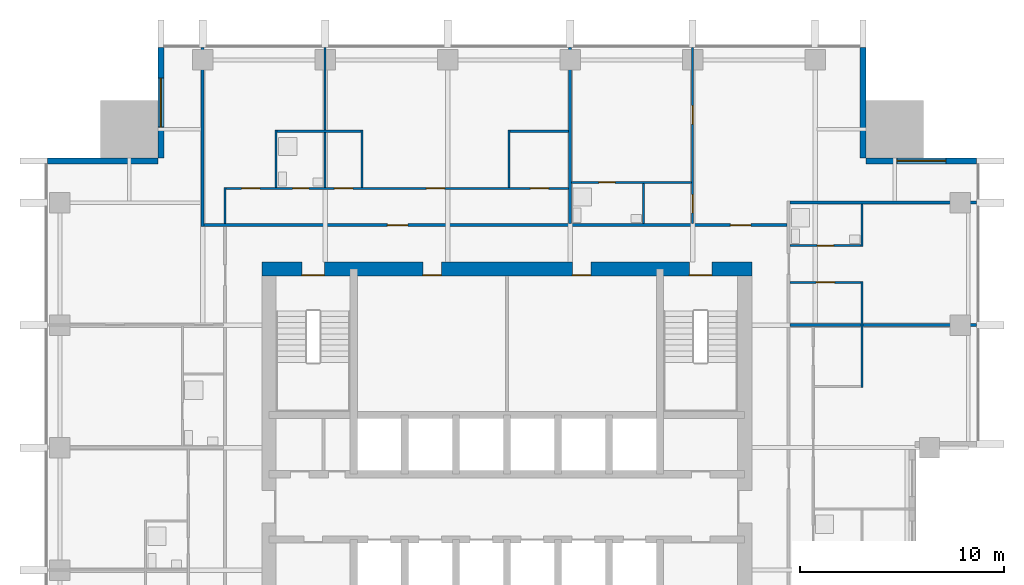
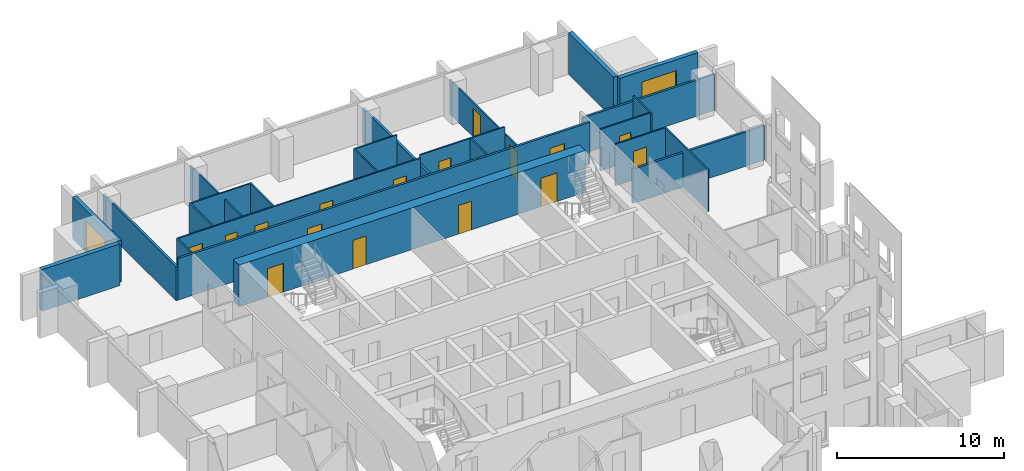
# One storey, part 7 of 11: 25 walls, 16 doors, 2 windows, 18 openings.
"""IFC4 building model written with IfcOpenShell, lengths in metres."""

from ifc_helpers import new_model, si_unit, direction, frame, frame_2d, origin, place, context, subcontext, project, spatial, rectangle, extrude, material, layer, layer_set, type_object, element, fill, save


model = new_model("IFC4")

# Units and contexts
model_context = context("Model", 3, precision=1e-05, world=origin(), true_north=direction((0.0, 1.0)))
body_context = subcontext(model_context, "Body", "Model", "MODEL_VIEW")
ifc_project = project(units=[si_unit("LENGTHUNIT", "METRE"), si_unit("AREAUNIT", "SQUARE_METRE"), si_unit("VOLUMEUNIT", "CUBIC_METRE"), si_unit("PLANEANGLEUNIT", "RADIAN"), si_unit("MASSUNIT", "GRAM", prefix="KILO")], contexts=[model_context])

# Site, building, storey
site_placement = place(None, origin())
site = spatial("IfcSite", under=ifc_project, at=site_placement, CompositionType="ELEMENT")
building_placement = place(site_placement, origin())
building = spatial("IfcBuilding", under=site, at=building_placement, Name="Amberfall Residences", CompositionType="ELEMENT")
storey_placement = place(building_placement, frame((0.0, 0.0, 143.800048828125)))
storey = spatial("IfcBuildingStorey", under=building, at=storey_placement, Name="L38", CompositionType="ELEMENT", Elevation=143.800048828125)

# Wall, opening, window
ifc_material_1 = material(Name="Pale stone cladding on insulated backing", Category="masonry")
ifc_layer_1 = layer(ifc_material_1, 0.300048828125)
ifc_layer_set_1 = layer_set([ifc_layer_1], Name="Bronze clad wall 300")
wall_type_1 = type_object("IfcWallType", Name="Bronze clad wall 300", PredefinedType="SOLIDWALL", material=ifc_layer_set_1)
wall_1_placement = place(storey_placement, frame((97.5, 62.449951171875, 0.0), z_axis=(0.0, 0.0, 1.0), x_axis=(-1.0, 0.0, 0.0)))
wall_1 = element("IfcWall", 1, at=wall_1_placement, inside=storey, type_object=wall_type_1, Name="External wall L38 NE", PredefinedType="SOLIDWALL", context=body_context, shape_type="SweptSolid", body=[
    extrude(rectangle(XDim=5.39990234375, YDim=0.300048828125, at=frame_2d((2.699951171875, 0.0))), origin(), (0.0, 0.0, 1.0), 3.050048828125),
])
opening_1_placement = place(wall_1_placement, frame((1.5, 0.0, 0.14990234375)))
opening_1 = element("IfcOpeningElement", 2, at=opening_1_placement, cuts=wall_1, Name="Opening WN5", PredefinedType="OPENING", context=body_context, shape_type="SweptSolid", body=[
    extrude(rectangle(XDim=2.39990234375, YDim=2.10009765625, at=frame_2d((1.199951171875, 1.050048828125))), frame((0.0, 0.159912109375, 0.0), z_axis=(0.0, -1.0, 0.0), x_axis=(1.0, 0.0, 0.0)), (0.0, 0.0, 1.0), 0.320068359375),
])
ifc_material_2 = material(Name="Bronze aluminium framed glazing", Category="aluminium")
window_type = type_object("IfcWindowType", Name="Glazed opening 2400 x 2100 bronze", PartitioningType="DOUBLE_PANEL_VERTICAL", PredefinedType="WINDOW", material=ifc_material_2)
window_1_placement = place(opening_1_placement, origin())
window_1 = element("IfcWindow", 3, at=window_1_placement, inside=storey, type_object=window_type, Name="Window L38 NE", OverallHeight=2.10009765625, OverallWidth=2.39990234375, PartitioningType="DOUBLE_PANEL_VERTICAL", PredefinedType="WINDOW", context=body_context, shape_type="SweptSolid", body=[
    extrude(rectangle(XDim=2.39990234375, YDim=2.10009765625, at=frame_2d((1.199951171875, 1.050048828125))), frame((0.0, 0.030029296875, 0.0), z_axis=(0.0, -1.0, 0.0), x_axis=(1.0, 0.0, 0.0)), (0.0, 0.0, 1.0), 0.06005859375),
])
fill(opening_1, window_1)

# Wall
wall_2_placement = place(storey_placement, frame((91.949951171875, 62.60009765625, 0.0), z_axis=(0.0, 0.0, 1.0), x_axis=(0.0, 1.0, 0.0)))
element("IfcWall", 4, at=wall_2_placement, inside=storey, type_object=wall_type_1, Name="External wall L38 NE", PredefinedType="SOLIDWALL", context=body_context, shape_type="SweptSolid", body=[
    extrude(rectangle(XDim=5.39990234375, YDim=0.300048828125, at=frame_2d((2.699951171875, 0.0))), origin(), (0.0, 0.0, 1.0), 3.050048828125),
])

# Wall, opening, window
wall_3_placement = place(storey_placement, frame((57.550048828125, 68.0, 0.0), z_axis=(0.0, 0.0, 1.0), x_axis=(0.0, -1.0, 0.0)))
wall_3 = element("IfcWall", 5, at=wall_3_placement, inside=storey, type_object=wall_type_1, Name="External wall L38 NW", PredefinedType="SOLIDWALL", context=body_context, shape_type="SweptSolid", body=[
    extrude(rectangle(XDim=5.39990234375, YDim=0.300048828125, at=frame_2d((2.699951171875, 0.0))), origin(), (0.0, 0.0, 1.0), 3.050048828125),
])
opening_2_placement = place(wall_3_placement, frame((1.5, 0.0, 0.14990234375)))
opening_2 = element("IfcOpeningElement", 6, at=opening_2_placement, cuts=wall_3, Name="Opening WN5", PredefinedType="OPENING", context=body_context, shape_type="SweptSolid", body=[
    extrude(rectangle(XDim=2.39990234375, YDim=2.10009765625, at=frame_2d((1.199951171875, 1.050048828125))), frame((0.0, 0.159912109375, 0.0), z_axis=(0.0, -1.0, 0.0), x_axis=(1.0, 0.0, 0.0)), (0.0, 0.0, 1.0), 0.320068359375),
])
window_2_placement = place(opening_2_placement, origin())
window_2 = element("IfcWindow", 7, at=window_2_placement, inside=storey, type_object=window_type, Name="Window L38 NW", OverallHeight=2.10009765625, OverallWidth=2.39990234375, PartitioningType="DOUBLE_PANEL_VERTICAL", PredefinedType="WINDOW", context=body_context, shape_type="SweptSolid", body=[
    extrude(rectangle(XDim=2.39990234375, YDim=2.10009765625, at=frame_2d((1.199951171875, 1.050048828125))), frame((0.0, 0.030029296875, 0.0), z_axis=(0.0, -1.0, 0.0), x_axis=(1.0, 0.0, 0.0)), (0.0, 0.0, 1.0), 0.06005859375),
])
fill(opening_2, window_2)

# Wall
wall_4_placement = place(storey_placement, frame((57.39990234375, 62.449951171875, 0.0), z_axis=(0.0, 0.0, 1.0), x_axis=(-1.0, 0.0, 0.0)))
element("IfcWall", 8, at=wall_4_placement, inside=storey, type_object=wall_type_1, Name="External wall L38 NW", PredefinedType="SOLIDWALL", context=body_context, shape_type="SweptSolid", body=[
    extrude(rectangle(XDim=5.39990234375, YDim=0.300048828125, at=frame_2d((2.699951171875, 0.0))), origin(), (0.0, 0.0, 1.0), 3.050048828125),
])

# Wall, openings, doors
ifc_material_3 = material(Name="Concrete C60", Category="concrete")
ifc_layer_2 = layer(ifc_material_3, 0.699951171875)
ifc_layer_set_2 = layer_set([ifc_layer_2], Name="Core wall 700 C60")
wall_type_2 = type_object("IfcWallType", Name="Core wall 700 C60", PredefinedType="SHEAR", material=ifc_layer_set_2)
wall_5_placement = place(storey_placement, frame((62.5, 57.14990234375, 0.0), z_axis=(0.0, 0.0, 1.0), x_axis=(1.0, 0.0, 0.0)))
wall_5 = element("IfcWall", 9, at=wall_5_placement, inside=storey, type_object=wall_type_2, Name="Core wall RW5 L38 ON", PredefinedType="SHEAR", context=body_context, shape_type="SweptSolid", body=[
    extrude(rectangle(XDim=24.0, YDim=0.699951171875, at=frame_2d((12.0, 0.0))), origin(), (0.0, 0.0, 1.0), 3.050048828125),
])
opening_3_placement = place(wall_5_placement, frame((20.9375, 0.0, 0.0)))
opening_3 = element("IfcOpeningElement", 10, at=opening_3_placement, cuts=wall_5, Name="Opening SD1", PredefinedType="OPENING", context=body_context, shape_type="SweptSolid", body=[
    extrude(rectangle(XDim=1.10009765625, YDim=2.10009765625, at=frame_2d((0.550048828125, 1.050048828125))), frame((0.0, 0.35986328125, 0.0), z_axis=(0.0, -1.0, 0.0), x_axis=(1.0, 0.0, 0.0)), (0.0, 0.0, 1.0), 0.719970703125),
])
opening_4_placement = place(wall_5_placement, frame((1.96240234375, 0.0, 0.0)))
opening_4 = element("IfcOpeningElement", 11, at=opening_4_placement, cuts=wall_5, Name="Opening SD1", PredefinedType="OPENING", context=body_context, shape_type="SweptSolid", body=[
    extrude(rectangle(XDim=1.10009765625, YDim=2.10009765625, at=frame_2d((0.550048828125, 1.050048828125))), frame((0.0, 0.35986328125, 0.0), z_axis=(0.0, -1.0, 0.0), x_axis=(1.0, 0.0, 0.0)), (0.0, 0.0, 1.0), 0.719970703125),
])
opening_5_placement = place(wall_5_placement, frame((7.887451171875, 0.0, 0.0)))
opening_5 = element("IfcOpeningElement", 12, at=opening_5_placement, cuts=wall_5, Name="Opening RD1", PredefinedType="OPENING", context=body_context, shape_type="SweptSolid", body=[
    extrude(rectangle(XDim=0.89990234375, YDim=2.10009765625, at=frame_2d((0.449951171875, 1.050048828125))), frame((0.0, 0.35986328125, 0.0), z_axis=(0.0, -1.0, 0.0), x_axis=(1.0, 0.0, 0.0)), (0.0, 0.0, 1.0), 0.719970703125),
])
opening_6_placement = place(wall_5_placement, frame((15.21240234375, 0.0, 0.0)))
opening_6 = element("IfcOpeningElement", 13, at=opening_6_placement, cuts=wall_5, Name="Opening RD1", PredefinedType="OPENING", context=body_context, shape_type="SweptSolid", body=[
    extrude(rectangle(XDim=0.89990234375, YDim=2.10009765625, at=frame_2d((0.449951171875, 1.050048828125))), frame((0.0, 0.35986328125, 0.0), z_axis=(0.0, -1.0, 0.0), x_axis=(1.0, 0.0, 0.0)), (0.0, 0.0, 1.0), 0.719970703125),
])
ifc_material_4 = material(Name="Steel fire door set", Category="steel")
door_type_1 = type_object("IfcDoorType", Name="Service room door 900 x 2100", OperationType="SINGLE_SWING_LEFT", PredefinedType="DOOR", material=ifc_material_4)
door_1_placement = place(opening_5_placement, origin())
door_1 = element("IfcDoor", 14, at=door_1_placement, inside=storey, type_object=door_type_1, Name="RD1 L38", OperationType="SINGLE_SWING_RIGHT", OverallHeight=2.10009765625, OverallWidth=0.89990234375, PredefinedType="DOOR", context=body_context, shape_type="SweptSolid", body=[
    extrude(rectangle(XDim=0.89990234375, YDim=2.10009765625, at=frame_2d((0.449951171875, 1.050048828125))), frame((0.0, -0.28759765625, 0.0), z_axis=(0.0, -1.0, 0.0), x_axis=(1.0, 0.0, 0.0)), (0.0, 0.0, 1.0), 0.050048828125),
])
fill(opening_5, door_1)
door_2_placement = place(opening_6_placement, origin())
door_2 = element("IfcDoor", 15, at=door_2_placement, inside=storey, type_object=door_type_1, Name="RD1 L38", OperationType="SINGLE_SWING_RIGHT", OverallHeight=2.10009765625, OverallWidth=0.89990234375, PredefinedType="DOOR", context=body_context, shape_type="SweptSolid", body=[
    extrude(rectangle(XDim=0.89990234375, YDim=2.10009765625, at=frame_2d((0.449951171875, 1.050048828125))), frame((0.0, -0.28759765625, 0.0), z_axis=(0.0, -1.0, 0.0), x_axis=(1.0, 0.0, 0.0)), (0.0, 0.0, 1.0), 0.050048828125),
])
fill(opening_6, door_2)
door_type_2 = type_object("IfcDoorType", Name="Stair door 1100 x 2100", OperationType="SINGLE_SWING_LEFT", PredefinedType="DOOR", material=ifc_material_4)
door_3_placement = place(opening_3_placement, origin())
door_3 = element("IfcDoor", 16, at=door_3_placement, inside=storey, type_object=door_type_2, Name="SD1 L38", OperationType="SINGLE_SWING_RIGHT", OverallHeight=2.10009765625, OverallWidth=1.10009765625, PredefinedType="DOOR", context=body_context, shape_type="SweptSolid", body=[
    extrude(rectangle(XDim=1.10009765625, YDim=2.10009765625, at=frame_2d((0.550048828125, 1.050048828125))), frame((0.0, -0.28759765625, 0.0), z_axis=(0.0, -1.0, 0.0), x_axis=(1.0, 0.0, 0.0)), (0.0, 0.0, 1.0), 0.050048828125),
])
fill(opening_3, door_3)
door_4_placement = place(opening_4_placement, origin())
door_4 = element("IfcDoor", 17, at=door_4_placement, inside=storey, type_object=door_type_2, Name="SD1 L38", OperationType="SINGLE_SWING_LEFT", OverallHeight=2.10009765625, OverallWidth=1.10009765625, PredefinedType="DOOR", context=body_context, shape_type="SweptSolid", body=[
    extrude(rectangle(XDim=1.10009765625, YDim=2.10009765625, at=frame_2d((0.550048828125, 1.050048828125))), frame((0.0, -0.28759765625, 0.0), z_axis=(0.0, -1.0, 0.0), x_axis=(1.0, 0.0, 0.0)), (0.0, 0.0, 1.0), 0.050048828125),
])
fill(opening_4, door_4)

# Walls
ifc_material_5 = material(Name="Gypsum board on metal stud")
ifc_layer_3 = layer(ifc_material_5, 0.10009765625)
ifc_layer_set_3 = layer_set([ifc_layer_3], Name="Flat partition 100")
wall_type_3 = type_object("IfcWallType", Name="Flat partition 100", PredefinedType="PARTITIONING", material=ifc_layer_set_3)
wall_6_placement = place(storey_placement, frame((60.699951171875, 59.375, 0.0), z_axis=(0.0, 0.0, 1.0), x_axis=(0.0, 1.0, 0.0)))
element("IfcWall", 18, at=wall_6_placement, inside=storey, type_object=wall_type_3, Name="Partition 005", PredefinedType="PARTITIONING", context=body_context, shape_type="SweptSolid", body=[
    extrude(rectangle(XDim=1.77490234375, YDim=0.10009765625, at=frame_2d((0.887451171875, 0.0))), origin(), (0.0, 0.0, 1.0), 3.050048828125),
])
wall_7_placement = place(storey_placement, frame((63.199951171875, 61.14990234375, 0.0), z_axis=(0.0, 0.0, 1.0), x_axis=(0.0, 1.0, 0.0)))
element("IfcWall", 19, at=wall_7_placement, inside=storey, type_object=wall_type_3, Name="Partition 006", PredefinedType="PARTITIONING", context=body_context, shape_type="SweptSolid", body=[
    extrude(rectangle(XDim=2.800048828125, YDim=0.10009765625, at=frame_2d((1.39990234375, 0.0))), origin(), (0.0, 0.0, 1.0), 3.050048828125),
])
wall_8_placement = place(storey_placement, frame((65.60009765625, 61.14990234375, 0.0), z_axis=(0.0, 0.0, 1.0), x_axis=(0.0, 1.0, 0.0)))
element("IfcWall", 20, at=wall_8_placement, inside=storey, type_object=wall_type_3, Name="Partition 008", PredefinedType="PARTITIONING", context=body_context, shape_type="SweptSolid", body=[
    extrude(rectangle(XDim=6.85009765625, YDim=0.10009765625, at=frame_2d((3.425048828125, 0.0))), origin(), (0.0, 0.0, 1.0), 2.515869140625),
])
for number, where, z_axis, x_axis, name in (
    (21, (67.39990234375, 61.14990234375, 0.0), (0.0, 0.0, 1.0), (0.0, 1.0, 0.0), "Partition 009"),
    (22, (74.60009765625, 61.14990234375, 0.0), (0.0, 0.0, 1.0), (0.0, 1.0, 0.0), "Partition 012"),
):
    element("IfcWall", number, at=place(storey_placement, frame(where, z_axis=z_axis, x_axis=x_axis)), inside=storey, type_object=wall_type_3, Name=name, PredefinedType="PARTITIONING", context=body_context, shape_type="SweptSolid", body=[
        extrude(rectangle(XDim=2.800048828125, YDim=0.10009765625, at=frame_2d((1.39990234375, 0.0))), origin(), (0.0, 0.0, 1.0), 3.050048828125),
    ])
wall_9_placement = place(storey_placement, frame((81.199951171875, 59.375, 0.0), z_axis=(0.0, 0.0, 1.0), x_axis=(0.0, 1.0, 0.0)))
element("IfcWall", 23, at=wall_9_placement, inside=storey, type_object=wall_type_3, Name="Partition 013", PredefinedType="PARTITIONING", context=body_context, shape_type="SweptSolid", body=[
    extrude(rectangle(XDim=1.97509765625, YDim=0.10009765625, at=frame_2d((0.987548828125, 0.0))), origin(), (0.0, 0.0, 1.0), 3.050048828125),
])

# Wall, openings, doors
wall_10_placement = place(storey_placement, frame((83.60009765625, 59.375, 0.0), z_axis=(0.0, 0.0, 1.0), x_axis=(0.0, 1.0, 0.0)))
wall_10 = element("IfcWall", 24, at=wall_10_placement, inside=storey, type_object=wall_type_3, Name="Partition 015", PredefinedType="PARTITIONING", context=body_context, shape_type="SweptSolid", body=[
    extrude(rectangle(XDim=8.625, YDim=0.10009765625, at=frame_2d((4.3125, 0.0))), origin(), (0.0, 0.0, 1.0), 2.515869140625),
])
opening_7_placement = place(wall_10_placement, frame((0.52490234375, 0.0, 0.0)))
opening_7 = element("IfcOpeningElement", 25, at=opening_7_placement, cuts=wall_10, Name="Opening D41", PredefinedType="OPENING", context=body_context, shape_type="SweptSolid", body=[
    extrude(rectangle(XDim=0.89990234375, YDim=2.10009765625, at=frame_2d((0.449951171875, 1.050048828125))), frame((0.0, 0.06005859375, 0.0), z_axis=(0.0, -1.0, 0.0), x_axis=(1.0, 0.0, 0.0)), (0.0, 0.0, 1.0), 0.1201171875),
])
opening_8_placement = place(wall_10_placement, frame((4.875, 0.0, 0.0)))
opening_8 = element("IfcOpeningElement", 26, at=opening_8_placement, cuts=wall_10, Name="Opening D41", PredefinedType="OPENING", context=body_context, shape_type="SweptSolid", body=[
    extrude(rectangle(XDim=0.89990234375, YDim=2.10009765625, at=frame_2d((0.449951171875, 1.050048828125))), frame((0.0, 0.06005859375, 0.0), z_axis=(0.0, -1.0, 0.0), x_axis=(1.0, 0.0, 0.0)), (0.0, 0.0, 1.0), 0.1201171875),
])
ifc_material_6 = material(Name="Timber", Category="wood")
door_type_3 = type_object("IfcDoorType", Name="Internal door 900 x 2100", OperationType="SINGLE_SWING_LEFT", PredefinedType="DOOR", material=ifc_material_6)
door_5_placement = place(opening_7_placement, origin())
door_5 = element("IfcDoor", 27, at=door_5_placement, inside=storey, type_object=door_type_3, Name="Door 3807 kitchen", OperationType="SINGLE_SWING_LEFT", OverallHeight=2.10009765625, OverallWidth=0.89990234375, PredefinedType="DOOR", context=body_context, shape_type="SweptSolid", body=[
    extrude(rectangle(XDim=0.89990234375, YDim=2.10009765625, at=frame_2d((0.449951171875, 1.050048828125))), frame((0.0, 0.02490234375, 0.0), z_axis=(0.0, -1.0, 0.0), x_axis=(1.0, 0.0, 0.0)), (0.0, 0.0, 1.0), 0.050048828125),
])
fill(opening_7, door_5)
door_6_placement = place(opening_8_placement, origin())
door_6 = element("IfcDoor", 28, at=door_6_placement, inside=storey, type_object=door_type_3, Name="Door 3807 bedroom1", OperationType="SINGLE_SWING_LEFT", OverallHeight=2.10009765625, OverallWidth=0.89990234375, PredefinedType="DOOR", context=body_context, shape_type="SweptSolid", body=[
    extrude(rectangle(XDim=0.89990234375, YDim=2.10009765625, at=frame_2d((0.449951171875, 1.050048828125))), frame((0.0, 0.02490234375, 0.0), z_axis=(0.0, -1.0, 0.0), x_axis=(1.0, 0.0, 0.0)), (0.0, 0.0, 1.0), 0.050048828125),
])
fill(opening_8, door_6)

# Walls
wall_11_placement = place(storey_placement, frame((91.89990234375, 51.35009765625, 0.0), z_axis=(0.0, 0.0, 1.0), x_axis=(0.0, 1.0, 0.0)))
element("IfcWall", 29, at=wall_11_placement, inside=storey, type_object=wall_type_3, Name="Partition 020", PredefinedType="PARTITIONING", context=body_context, shape_type="SweptSolid", body=[
    extrude(rectangle(XDim=5.199951171875, YDim=0.10009765625, at=frame_2d((2.60009765625, 0.0))), origin(), (0.0, 0.0, 1.0), 3.050048828125),
])
wall_12_placement = place(storey_placement, frame((91.89990234375, 58.25, 0.0), z_axis=(0.0, 0.0, 1.0), x_axis=(0.0, 1.0, 0.0)))
element("IfcWall", 30, at=wall_12_placement, inside=storey, type_object=wall_type_3, Name="Partition 021", PredefinedType="PARTITIONING", context=body_context, shape_type="SweptSolid", body=[
    extrude(rectangle(XDim=2.074951171875, YDim=0.10009765625, at=frame_2d((1.03759765625, 0.0))), origin(), (0.0, 0.0, 1.0), 3.050048828125),
])
wall_13_placement = place(storey_placement, frame((63.25, 63.89990234375, 0.0), z_axis=(0.0, 0.0, 1.0), x_axis=(1.0, 0.0, 0.0)))
element("IfcWall", 31, at=wall_13_placement, inside=storey, type_object=wall_type_3, Name="Partition 022", PredefinedType="PARTITIONING", context=body_context, shape_type="SweptSolid", body=[
    extrude(rectangle(XDim=4.10009765625, YDim=0.10009765625, at=frame_2d((2.050048828125, 0.0))), origin(), (0.0, 0.0, 1.0), 3.050048828125),
])
wall_14_placement = place(storey_placement, frame((74.64990234375, 63.89990234375, 0.0), z_axis=(0.0, 0.0, 1.0), x_axis=(1.0, 0.0, 0.0)))
element("IfcWall", 32, at=wall_14_placement, inside=storey, type_object=wall_type_3, Name="Partition 023", PredefinedType="PARTITIONING", context=body_context, shape_type="SweptSolid", body=[
    extrude(rectangle(XDim=2.875, YDim=0.10009765625, at=frame_2d((1.4375, 0.0))), origin(), (0.0, 0.0, 1.0), 3.050048828125),
])

# Wall, opening, door
wall_15_placement = place(storey_placement, frame((83.550048828125, 61.39990234375, 0.0), z_axis=(0.0, 0.0, 1.0), x_axis=(-1.0, 0.0, 0.0)))
wall_15 = element("IfcWall", 33, at=wall_15_placement, inside=storey, type_object=wall_type_3, Name="Partition 024", PredefinedType="PARTITIONING", context=body_context, shape_type="SweptSolid", body=[
    extrude(rectangle(XDim=5.875, YDim=0.10009765625, at=frame_2d((2.9375, 0.0))), origin(), (0.0, 0.0, 1.0), 3.050048828125),
])
opening_9_placement = place(wall_15_placement, frame((3.75, 0.0, 0.0)))
opening_9 = element("IfcOpeningElement", 34, at=opening_9_placement, cuts=wall_15, Name="Opening D42", PredefinedType="OPENING", context=body_context, shape_type="SweptSolid", body=[
    extrude(rectangle(XDim=0.800048828125, YDim=2.10009765625, at=frame_2d((0.39990234375, 1.050048828125))), frame((0.0, 0.06005859375, 0.0), z_axis=(0.0, -1.0, 0.0), x_axis=(1.0, 0.0, 0.0)), (0.0, 0.0, 1.0), 0.1201171875),
])
door_type_4 = type_object("IfcDoorType", Name="Bathroom door 800 x 2100", OperationType="SINGLE_SWING_LEFT", PredefinedType="DOOR", material=ifc_material_6)
door_7_placement = place(opening_9_placement, origin())
door_7 = element("IfcDoor", 35, at=door_7_placement, inside=storey, type_object=door_type_4, Name="Door 3807 bath1", OperationType="SINGLE_SWING_LEFT", OverallHeight=2.10009765625, OverallWidth=0.800048828125, PredefinedType="DOOR", context=body_context, shape_type="SweptSolid", body=[
    extrude(rectangle(XDim=0.800048828125, YDim=2.10009765625, at=frame_2d((0.39990234375, 1.050048828125))), frame((0.0, 0.02490234375, 0.0), z_axis=(0.0, -1.0, 0.0), x_axis=(1.0, 0.0, 0.0)), (0.0, 0.0, 1.0), 0.050048828125),
])
fill(opening_9, door_7)

# Wall, openings, doors
wall_16_placement = place(storey_placement, frame((60.75, 61.10009765625, 0.0), z_axis=(0.0, 0.0, 1.0), x_axis=(1.0, 0.0, 0.0)))
wall_16 = element("IfcWall", 36, at=wall_16_placement, inside=storey, type_object=wall_type_3, Name="Partition 025", PredefinedType="PARTITIONING", context=body_context, shape_type="SweptSolid", body=[
    extrude(rectangle(XDim=16.77490234375, YDim=0.10009765625, at=frame_2d((8.387451171875, 0.0))), origin(), (0.0, 0.0, 1.0), 3.050048828125),
])
opening_10_placement = place(wall_16_placement, frame((9.800048828125, 0.0, 0.0)))
opening_10 = element("IfcOpeningElement", 37, at=opening_10_placement, cuts=wall_16, Name="Opening D41", PredefinedType="OPENING", context=body_context, shape_type="SweptSolid", body=[
    extrude(rectangle(XDim=0.89990234375, YDim=2.10009765625, at=frame_2d((0.449951171875, 1.050048828125))), frame((0.0, 0.06005859375, 0.0), z_axis=(0.0, -1.0, 0.0), x_axis=(1.0, 0.0, 0.0)), (0.0, 0.0, 1.0), 0.1201171875),
])
opening_11_placement = place(wall_16_placement, frame((14.89990234375, 0.0, 0.0)))
opening_11 = element("IfcOpeningElement", 38, at=opening_11_placement, cuts=wall_16, Name="Opening D41", PredefinedType="OPENING", context=body_context, shape_type="SweptSolid", body=[
    extrude(rectangle(XDim=0.89990234375, YDim=2.10009765625, at=frame_2d((0.449951171875, 1.050048828125))), frame((0.0, 0.06005859375, 0.0), z_axis=(0.0, -1.0, 0.0), x_axis=(1.0, 0.0, 0.0)), (0.0, 0.0, 1.0), 0.1201171875),
])
opening_12_placement = place(wall_16_placement, frame((5.300048828125, 0.0, 0.0)))
opening_12 = element("IfcOpeningElement", 39, at=opening_12_placement, cuts=wall_16, Name="Opening D41", PredefinedType="OPENING", context=body_context, shape_type="SweptSolid", body=[
    extrude(rectangle(XDim=0.89990234375, YDim=2.10009765625, at=frame_2d((0.449951171875, 1.050048828125))), frame((0.0, 0.06005859375, 0.0), z_axis=(0.0, -1.0, 0.0), x_axis=(1.0, 0.0, 0.0)), (0.0, 0.0, 1.0), 0.1201171875),
])
opening_13_placement = place(wall_16_placement, frame((0.75, 0.0, 0.0)))
opening_13 = element("IfcOpeningElement", 40, at=opening_13_placement, cuts=wall_16, Name="Opening D41", PredefinedType="OPENING", context=body_context, shape_type="SweptSolid", body=[
    extrude(rectangle(XDim=0.89990234375, YDim=2.10009765625, at=frame_2d((0.449951171875, 1.050048828125))), frame((0.0, 0.06005859375, 0.0), z_axis=(0.0, -1.0, 0.0), x_axis=(1.0, 0.0, 0.0)), (0.0, 0.0, 1.0), 0.1201171875),
])
opening_14_placement = place(wall_16_placement, frame((3.25, 0.0, 0.0)))
opening_14 = element("IfcOpeningElement", 41, at=opening_14_placement, cuts=wall_16, Name="Opening D42", PredefinedType="OPENING", context=body_context, shape_type="SweptSolid", body=[
    extrude(rectangle(XDim=0.800048828125, YDim=2.10009765625, at=frame_2d((0.39990234375, 1.050048828125))), frame((0.0, 0.06005859375, 0.0), z_axis=(0.0, -1.0, 0.0), x_axis=(1.0, 0.0, 0.0)), (0.0, 0.0, 1.0), 0.1201171875),
])
door_8_placement = place(opening_14_placement, origin())
door_8 = element("IfcDoor", 42, at=door_8_placement, inside=storey, type_object=door_type_4, Name="Door 3806 bath1", OperationType="SINGLE_SWING_LEFT", OverallHeight=2.10009765625, OverallWidth=0.800048828125, PredefinedType="DOOR", context=body_context, shape_type="SweptSolid", body=[
    extrude(rectangle(XDim=0.800048828125, YDim=2.10009765625, at=frame_2d((0.39990234375, 1.050048828125))), frame((0.0, 0.02490234375, 0.0), z_axis=(0.0, -1.0, 0.0), x_axis=(1.0, 0.0, 0.0)), (0.0, 0.0, 1.0), 0.050048828125),
])
fill(opening_14, door_8)
door_9_placement = place(opening_10_placement, origin())
door_9 = element("IfcDoor", 43, at=door_9_placement, inside=storey, type_object=door_type_3, Name="Door 3806 living", OperationType="SINGLE_SWING_LEFT", OverallHeight=2.10009765625, OverallWidth=0.89990234375, PredefinedType="DOOR", context=body_context, shape_type="SweptSolid", body=[
    extrude(rectangle(XDim=0.89990234375, YDim=2.10009765625, at=frame_2d((0.449951171875, 1.050048828125))), frame((0.0, 0.02490234375, 0.0), z_axis=(0.0, -1.0, 0.0), x_axis=(1.0, 0.0, 0.0)), (0.0, 0.0, 1.0), 0.050048828125),
])
fill(opening_10, door_9)
door_10_placement = place(opening_11_placement, origin())
door_10 = element("IfcDoor", 44, at=door_10_placement, inside=storey, type_object=door_type_3, Name="Door 3806 kitchen", OperationType="SINGLE_SWING_LEFT", OverallHeight=2.10009765625, OverallWidth=0.89990234375, PredefinedType="DOOR", context=body_context, shape_type="SweptSolid", body=[
    extrude(rectangle(XDim=0.89990234375, YDim=2.10009765625, at=frame_2d((0.449951171875, 1.050048828125))), frame((0.0, 0.02490234375, 0.0), z_axis=(0.0, -1.0, 0.0), x_axis=(1.0, 0.0, 0.0)), (0.0, 0.0, 1.0), 0.050048828125),
])
fill(opening_11, door_10)
door_11_placement = place(opening_12_placement, origin())
door_11 = element("IfcDoor", 45, at=door_11_placement, inside=storey, type_object=door_type_3, Name="Door 3806 store", OperationType="SINGLE_SWING_LEFT", OverallHeight=2.10009765625, OverallWidth=0.89990234375, PredefinedType="DOOR", context=body_context, shape_type="SweptSolid", body=[
    extrude(rectangle(XDim=0.89990234375, YDim=2.10009765625, at=frame_2d((0.449951171875, 1.050048828125))), frame((0.0, 0.02490234375, 0.0), z_axis=(0.0, -1.0, 0.0), x_axis=(1.0, 0.0, 0.0)), (0.0, 0.0, 1.0), 0.050048828125),
])
fill(opening_12, door_11)
door_12_placement = place(opening_13_placement, origin())
door_12 = element("IfcDoor", 46, at=door_12_placement, inside=storey, type_object=door_type_3, Name="Door 3806 bedroom1", OperationType="SINGLE_SWING_LEFT", OverallHeight=2.10009765625, OverallWidth=0.89990234375, PredefinedType="DOOR", context=body_context, shape_type="SweptSolid", body=[
    extrude(rectangle(XDim=0.89990234375, YDim=2.10009765625, at=frame_2d((0.449951171875, 1.050048828125))), frame((0.0, 0.02490234375, 0.0), z_axis=(0.0, -1.0, 0.0), x_axis=(1.0, 0.0, 0.0)), (0.0, 0.0, 1.0), 0.050048828125),
])
fill(opening_13, door_12)

# Wall, opening, door
wall_17_placement = place(storey_placement, frame((88.375, 58.300048828125, 0.0), z_axis=(0.0, 0.0, 1.0), x_axis=(1.0, 0.0, 0.0)))
wall_17 = element("IfcWall", 47, at=wall_17_placement, inside=storey, type_object=wall_type_3, Name="Partition 026", PredefinedType="PARTITIONING", context=body_context, shape_type="SweptSolid", body=[
    extrude(rectangle(XDim=3.47509765625, YDim=0.10009765625, at=frame_2d((1.737548828125, 0.0))), origin(), (0.0, 0.0, 1.0), 3.050048828125),
])
opening_15_placement = place(wall_17_placement, frame((1.324951171875, 0.0, 0.0)))
opening_15 = element("IfcOpeningElement", 48, at=opening_15_placement, cuts=wall_17, Name="Opening D42", PredefinedType="OPENING", context=body_context, shape_type="SweptSolid", body=[
    extrude(rectangle(XDim=0.800048828125, YDim=2.10009765625, at=frame_2d((0.39990234375, 1.050048828125))), frame((0.0, 0.06005859375, 0.0), z_axis=(0.0, -1.0, 0.0), x_axis=(1.0, 0.0, 0.0)), (0.0, 0.0, 1.0), 0.1201171875),
])
door_13_placement = place(opening_15_placement, origin())
door_13 = element("IfcDoor", 49, at=door_13_placement, inside=storey, type_object=door_type_4, Name="Door 3805 bath1", OperationType="SINGLE_SWING_LEFT", OverallHeight=2.10009765625, OverallWidth=0.800048828125, PredefinedType="DOOR", context=body_context, shape_type="SweptSolid", body=[
    extrude(rectangle(XDim=0.800048828125, YDim=2.10009765625, at=frame_2d((0.39990234375, 1.050048828125))), frame((0.0, 0.02490234375, 0.0), z_axis=(0.0, -1.0, 0.0), x_axis=(1.0, 0.0, 0.0)), (0.0, 0.0, 1.0), 0.050048828125),
])
fill(opening_15, door_13)

wall_18_placement = place(storey_placement, frame((91.85009765625, 56.5, 0.0), z_axis=(0.0, 0.0, 1.0), x_axis=(-1.0, 0.0, 0.0)))
wall_18 = element("IfcWall", 50, at=wall_18_placement, inside=storey, type_object=wall_type_3, Name="Partition 027", PredefinedType="PARTITIONING", context=body_context, shape_type="SweptSolid", body=[
    extrude(rectangle(XDim=3.47509765625, YDim=0.10009765625, at=frame_2d((1.737548828125, 0.0))), origin(), (0.0, 0.0, 1.0), 3.050048828125),
])
opening_16_placement = place(wall_18_placement, frame((1.300048828125, 0.0, 0.0)))
opening_16 = element("IfcOpeningElement", 51, at=opening_16_placement, cuts=wall_18, Name="Opening D41", PredefinedType="OPENING", context=body_context, shape_type="SweptSolid", body=[
    extrude(rectangle(XDim=0.89990234375, YDim=2.10009765625, at=frame_2d((0.449951171875, 1.050048828125))), frame((0.0, 0.06005859375, 0.0), z_axis=(0.0, -1.0, 0.0), x_axis=(1.0, 0.0, 0.0)), (0.0, 0.0, 1.0), 0.1201171875),
])
door_14_placement = place(opening_16_placement, origin())
door_14 = element("IfcDoor", 52, at=door_14_placement, inside=storey, type_object=door_type_3, Name="Door 3805 kitchen", OperationType="SINGLE_SWING_LEFT", OverallHeight=2.10009765625, OverallWidth=0.89990234375, PredefinedType="DOOR", context=body_context, shape_type="SweptSolid", body=[
    extrude(rectangle(XDim=0.89990234375, YDim=2.10009765625, at=frame_2d((0.449951171875, 1.050048828125))), frame((0.0, 0.02490234375, 0.0), z_axis=(0.0, -1.0, 0.0), x_axis=(1.0, 0.0, 0.0)), (0.0, 0.0, 1.0), 0.050048828125),
])
fill(opening_16, door_14)

# Walls
ifc_material_7 = material(Name="Blockwork, plastered", Category="masonry")
ifc_layer_4 = layer(ifc_material_7, 0.14990234375)
ifc_layer_set_4 = layer_set([ifc_layer_4], Name="Flat separating wall 150")
wall_type_4 = type_object("IfcWallType", Name="Flat separating wall 150", PredefinedType="PARTITIONING", material=ifc_layer_set_4)
wall_19_placement = place(storey_placement, frame((59.60009765625, 59.22509765625, 0.0), z_axis=(0.0, 0.0, 1.0), x_axis=(0.0, 1.0, 0.0)))
element("IfcWall", 53, at=wall_19_placement, inside=storey, type_object=wall_type_4, Name="Separating wall 043", PredefinedType="PARTITIONING", context=body_context, shape_type="SweptSolid", body=[
    extrude(rectangle(XDim=8.77490234375, YDim=0.14990234375, at=frame_2d((4.387451171875, 0.0))), origin(), (0.0, 0.0, 1.0), 2.510009765625),
])
wall_20_placement = place(storey_placement, frame((77.60009765625, 59.375, 0.0), z_axis=(0.0, 0.0, 1.0), x_axis=(0.0, 1.0, 0.0)))
element("IfcWall", 54, at=wall_20_placement, inside=storey, type_object=wall_type_4, Name="Separating wall 046", PredefinedType="PARTITIONING", context=body_context, shape_type="SweptSolid", body=[
    extrude(rectangle(XDim=8.625, YDim=0.14990234375, at=frame_2d((4.3125, 0.0))), origin(), (0.0, 0.0, 1.0), 2.515869140625),
])
wall_21_placement = place(storey_placement, frame((88.375, 60.39990234375, 0.0), z_axis=(0.0, 0.0, 1.0), x_axis=(1.0, 0.0, 0.0)))
element("IfcWall", 55, at=wall_21_placement, inside=storey, type_object=wall_type_4, Name="Separating wall 049", PredefinedType="PARTITIONING", context=body_context, shape_type="SweptSolid", body=[
    extrude(rectangle(XDim=9.125, YDim=0.14990234375, at=frame_2d((4.5625, 0.0))), origin(), (0.0, 0.0, 1.0), 2.64697265625),
])

# Wall, openings, doors
wall_22_placement = place(storey_placement, frame((59.675048828125, 59.300048828125, 0.0), z_axis=(0.0, 0.0, 1.0), x_axis=(1.0, 0.0, 0.0)))
wall_22 = element("IfcWall", 56, at=wall_22_placement, inside=storey, type_object=wall_type_4, Name="Separating wall 050", PredefinedType="PARTITIONING", context=body_context, shape_type="SweptSolid", body=[
    extrude(rectangle(XDim=28.550048828125, YDim=0.14990234375, at=frame_2d((14.27490234375, 0.0))), origin(), (0.0, 0.0, 1.0), 3.050048828125),
])
opening_17_placement = place(wall_22_placement, frame((8.97509765625, 0.0, 0.0)))
opening_17 = element("IfcOpeningElement", 57, at=opening_17_placement, cuts=wall_22, Name="Opening D40", PredefinedType="OPENING", context=body_context, shape_type="SweptSolid", body=[
    extrude(rectangle(XDim=1.0, YDim=2.10009765625, at=frame_2d((0.5, 1.050048828125))), frame((0.0, 0.0849609375, 0.0), z_axis=(0.0, -1.0, 0.0), x_axis=(1.0, 0.0, 0.0)), (0.0, 0.0, 1.0), 0.169921875),
])
opening_18_placement = place(wall_22_placement, frame((25.77490234375, 0.0, 0.0)))
opening_18 = element("IfcOpeningElement", 58, at=opening_18_placement, cuts=wall_22, Name="Opening D40", PredefinedType="OPENING", context=body_context, shape_type="SweptSolid", body=[
    extrude(rectangle(XDim=1.0, YDim=2.10009765625, at=frame_2d((0.5, 1.050048828125))), frame((0.0, 0.0849609375, 0.0), z_axis=(0.0, -1.0, 0.0), x_axis=(1.0, 0.0, 0.0)), (0.0, 0.0, 1.0), 0.169921875),
])
ifc_material_8 = material(Name="Timber, fire-rated", Category="wood")
door_type_5 = type_object("IfcDoorType", Name="Flat entrance door FD60 1000 x 2100", OperationType="SINGLE_SWING_LEFT", PredefinedType="DOOR", material=ifc_material_8)
door_15_placement = place(opening_17_placement, origin())
door_15 = element("IfcDoor", 59, at=door_15_placement, inside=storey, type_object=door_type_5, Name="Door 3806 entrance", OperationType="SINGLE_SWING_LEFT", OverallHeight=2.10009765625, OverallWidth=1.0, PredefinedType="DOOR", context=body_context, shape_type="SweptSolid", body=[
    extrude(rectangle(XDim=1.0, YDim=2.10009765625, at=frame_2d((0.5, 1.050048828125))), frame((0.0, 0.02490234375, 0.0), z_axis=(0.0, -1.0, 0.0), x_axis=(1.0, 0.0, 0.0)), (0.0, 0.0, 1.0), 0.050048828125),
])
fill(opening_17, door_15)
door_16_placement = place(opening_18_placement, origin())
door_16 = element("IfcDoor", 60, at=door_16_placement, inside=storey, type_object=door_type_5, Name="Door 3807 entrance", OperationType="SINGLE_SWING_LEFT", OverallHeight=2.10009765625, OverallWidth=1.0, PredefinedType="DOOR", context=body_context, shape_type="SweptSolid", body=[
    extrude(rectangle(XDim=1.0, YDim=2.10009765625, at=frame_2d((0.5, 1.050048828125))), frame((0.0, 0.02490234375, 0.0), z_axis=(0.0, -1.0, 0.0), x_axis=(1.0, 0.0, 0.0)), (0.0, 0.0, 1.0), 0.050048828125),
])
fill(opening_18, door_16)

# Wall
wall_23_placement = place(storey_placement, frame((88.375, 54.39990234375, 0.0), z_axis=(0.0, 0.0, 1.0), x_axis=(1.0, 0.0, 0.0)))
element("IfcWall", 61, at=wall_23_placement, inside=storey, type_object=wall_type_4, Name="Separating wall 051", PredefinedType="PARTITIONING", context=body_context, shape_type="SweptSolid", body=[
    extrude(rectangle(XDim=9.125, YDim=0.14990234375, at=frame_2d((4.5625, 0.0))), origin(), (0.0, 0.0, 1.0), 2.515869140625),
])

save(model, "model.ifc")
